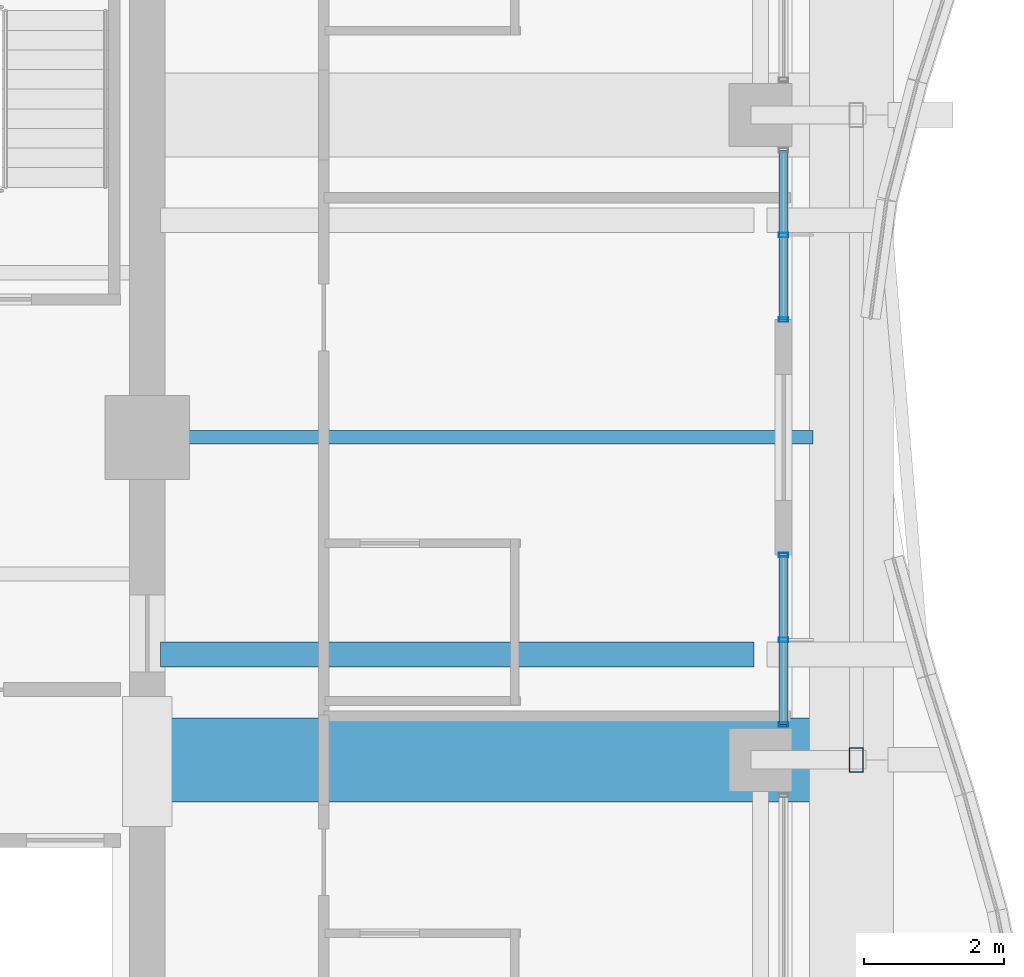
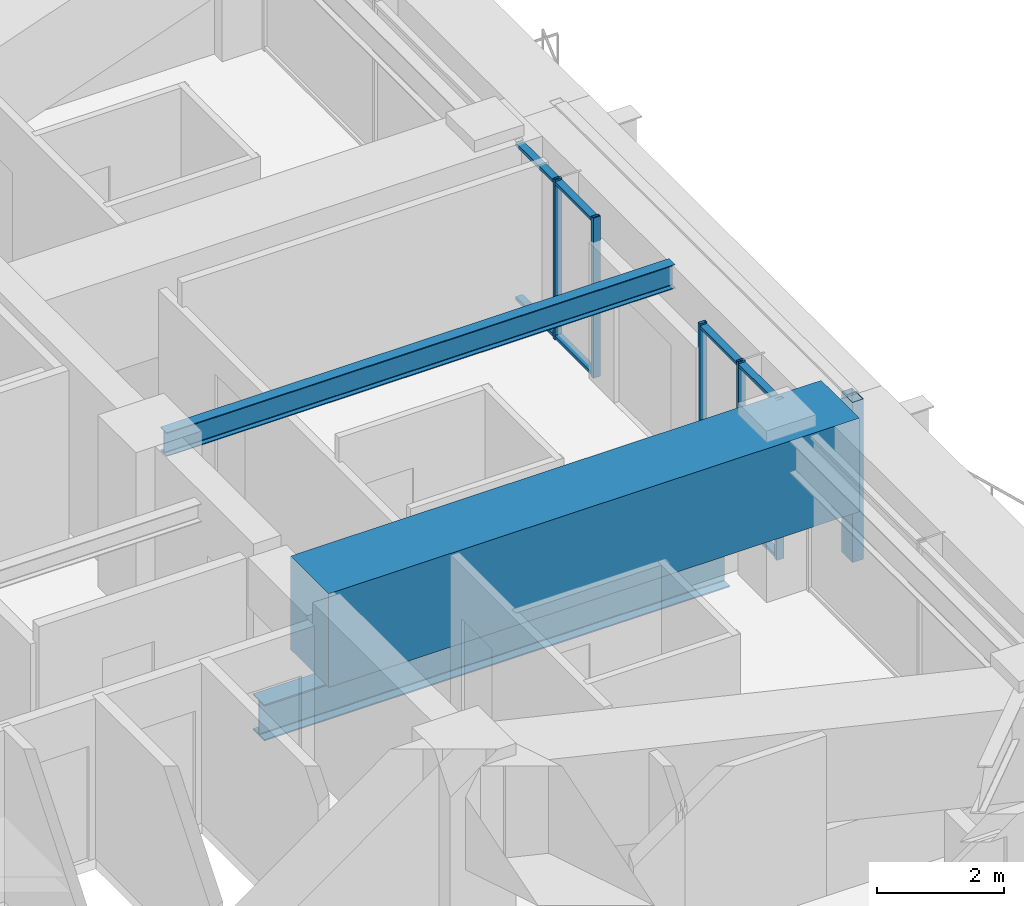
# One storey, part 18 of 40: 10 members, 3 beams, 2 elements without a shape of their own.
"""IFC4 building model written with IfcOpenShell, lengths in metres."""

from ifc_helpers import new_model, si_unit, direction, frame, origin, origin_2d, place, context, subcontext, project, spatial, rectangle, hollow_rectangle, i_section, extrude, material, material_profile, profile_set, type_object, element, aggregate, save


model = new_model("IFC4")

# Units and contexts
model_context = context("Model", 3, precision=1e-05, world=origin(), true_north=direction((0.0, 1.0)))
body_context = subcontext(model_context, "Body", "Model", "MODEL_VIEW")
ifc_project = project(units=[si_unit("LENGTHUNIT", "METRE"), si_unit("AREAUNIT", "SQUARE_METRE"), si_unit("VOLUMEUNIT", "CUBIC_METRE"), si_unit("PLANEANGLEUNIT", "RADIAN"), si_unit("MASSUNIT", "GRAM", prefix="KILO")], contexts=[model_context])

# Site, building, storey
site_placement = place(None, origin())
site = spatial("IfcSite", under=ifc_project, at=site_placement, CompositionType="ELEMENT")
building_placement = place(site_placement, origin())
building = spatial("IfcBuilding", under=site, at=building_placement, Name="Kolvaren Belvedere", CompositionType="ELEMENT")
storey_placement = place(building_placement, frame((0.0, 0.0, 170.10009765625)))
storey = spatial("IfcBuildingStorey", under=building, at=storey_placement, Name="L49", CompositionType="ELEMENT", Elevation=170.10009765625)

# Beams
ifc_material_1 = material(Name="Structural steel ASTM A992 Grade 50", Category="steel")
ifc_material_profile_1 = material_profile(ifc_material_1, i_section(OverallWidth=0.35498046875, OverallDepth=0.696044921875, WebThickness=0.015380859375, FlangeThickness=0.02490234375, FilletRadius=0.02197265625, at=origin_2d()), Name="W27X146")
ifc_profile_set_1 = profile_set([ifc_material_profile_1], Name="Structural steel ASTM A992 Grade 50")
beam_type_1 = type_object("IfcBeamType", Name="BM-GIRD-W27X146", PredefinedType="BEAM", material=ifc_profile_set_1)
beam_1_placement = place(storey_placement, frame((10.090087890625, -3.10009765625, -0.548095703125), z_axis=(1.0, 0.0, 0.0), x_axis=(0.0, 1.0, 0.0)))
element("IfcBeam", 1, at=beam_1_placement, inside=storey, type_object=beam_type_1, Name="L49 Balcony Interior Back-Span Girder BAL-E-1", PredefinedType="BEAM", context=body_context, shape_type="SweptSolid", body=[
    extrude(i_section(OverallWidth=0.35498046875, OverallDepth=0.696044921875, WebThickness=0.015380859375, FlangeThickness=0.02490234375, FilletRadius=0.02197265625, at=origin_2d()), origin(), (0.0, 0.0, 1.0), 8.46484375),
])
ifc_material_2 = material(Name="Structural steel ASTM A992 Grade 50", Category="steel")
ifc_material_profile_2 = material_profile(ifc_material_2, i_section(OverallWidth=0.19091796875, OverallDepth=0.4599609375, WebThickness=0.010009765625, FlangeThickness=0.01611328125, FilletRadius=0.014892578125, at=origin_2d()), Name="W18X55")
ifc_profile_set_2 = profile_set([ifc_material_profile_2], Name="Structural steel ASTM A992 Grade 50")
beam_type_2 = type_object("IfcBeamType", Name="BM-JOIST-W18X55", PredefinedType="BEAM", material=ifc_profile_set_2)
beam_2_placement = place(storey_placement, frame((10.14990234375, 0.0, 2.849853515625), z_axis=(1.0, 0.0, 0.0), x_axis=(0.0, 1.0, 0.0)))
element("IfcBeam", 2, at=beam_2_placement, inside=storey, type_object=beam_type_2, Name="L49 East Centre Floor Beam", PredefinedType="BEAM", context=body_context, shape_type="SweptSolid", body=[
    extrude(i_section(OverallWidth=0.19091796875, OverallDepth=0.4599609375, WebThickness=0.010009765625, FlangeThickness=0.01611328125, FilletRadius=0.014892578125, at=origin_2d()), origin(), (0.0, 0.0, 1.0), 9.25),
])
ifc_material_3 = material(Name="Concrete C50/60", Category="concrete")
ifc_material_profile_3 = material_profile(ifc_material_3, rectangle(XDim=1.199951171875, YDim=1.800048828125, at=origin_2d()), Name="RC 1200X1800")
ifc_profile_set_3 = profile_set([ifc_material_profile_3], Name="Concrete C50/60")
beam_type_3 = type_object("IfcBeamType", Name="BM-TG-1800", PredefinedType="BEAM", material=ifc_profile_set_3)
beam_3_placement = place(storey_placement, frame((10.14990234375, -4.60009765625, 2.179931640625), z_axis=(1.0, 0.0, 0.0), x_axis=(0.0, 1.0, 0.0)))
element("IfcBeam", 3, at=beam_3_placement, inside=storey, type_object=beam_type_3, Name="L49 East Radial Girder M", PredefinedType="BEAM", context=body_context, shape_type="SweptSolid", body=[
    extrude(rectangle(XDim=1.199951171875, YDim=1.800048828125, at=origin_2d()), origin(), (0.0, 0.0, 1.0), 9.650146484375),
])

# Curtain wall, members
ifc_material_4 = material(Name="Anodised pale-metal aluminium AA 6063-T6", Category="aluminium")
curtain_wall_type = type_object("IfcCurtainWallType", Name="CW-Z3-WAIST", PredefinedType="NOTDEFINED", material=ifc_material_4)
curtain_wall_1_placement = place(storey_placement, origin())
curtain_wall_1 = element("IfcCurtainWall", 4, at=curtain_wall_1_placement, inside=storey, type_object=curtain_wall_type, Name="L49 Unitised Curtain Wall FCW-L49-E1-B2", PredefinedType="NOTDEFINED")
ifc_material_5 = material(Name="Anodised pale-metal aluminium AA 6063-T6", Category="aluminium")
ifc_material_profile_4 = material_profile(ifc_material_5, hollow_rectangle(XDim=0.06494140625, YDim=0.1298828125, WallThickness=0.00390625, at=origin_2d()), Name="ALU-MUL-130X65")
ifc_profile_set_4 = profile_set([ifc_material_profile_4], Name="Anodised pale-metal aluminium AA 6063-T6")
member_type_1 = type_object("IfcMemberType", Name="CW-MUL-130", PredefinedType="MULLION", material=ifc_profile_set_4)
member_1_placement = place(storey_placement, frame((18.97998046875, 2.888671875, 0.0), z_axis=(0.0, 0.0, 1.0), x_axis=(0.0, 1.0, 0.0)))
member_1 = element("IfcMember", 5, at=member_1_placement, type_object=member_type_1, Name="FCW-L49-E1-B2 Unitised Mullion 2", PredefinedType="MULLION", context=body_context, shape_type="SweptSolid", body=[
    extrude(hollow_rectangle(XDim=0.06494140625, YDim=0.1298828125, WallThickness=0.00390625, at=origin_2d()), origin(), (0.0, 0.0, 1.0), 3.079833984375),
])
member_2_placement = place(storey_placement, frame((18.97998046875, 1.679931640625, 0.0), z_axis=(0.0, 0.0, 1.0), x_axis=(0.0, 1.0, 0.0)))
member_2 = element("IfcMember", 6, at=member_2_placement, type_object=member_type_1, Name="FCW-L49-E1-B2 Unitised Mullion 3", PredefinedType="MULLION", context=body_context, shape_type="SweptSolid", body=[
    extrude(hollow_rectangle(XDim=0.06494140625, YDim=0.1298828125, WallThickness=0.00390625, at=origin_2d()), origin(), (0.0, 0.0, 1.0), 3.079833984375),
])

curtain_wall_2_placement = place(storey_placement, origin())
curtain_wall_2 = element("IfcCurtainWall", 7, at=curtain_wall_2_placement, inside=storey, type_object=curtain_wall_type, Name="L49 Unitised Curtain Wall FCW-L49-E2-B1", PredefinedType="NOTDEFINED")
member_3_placement = place(storey_placement, frame((18.97998046875, -1.679931640625, 0.0), z_axis=(0.0, 0.0, 1.0), x_axis=(0.0, 1.0, 0.0)))
member_3 = element("IfcMember", 8, at=member_3_placement, type_object=member_type_1, Name="FCW-L49-E2-B1 Unitised Mullion 1", PredefinedType="MULLION", context=body_context, shape_type="SweptSolid", body=[
    extrude(hollow_rectangle(XDim=0.06494140625, YDim=0.1298828125, WallThickness=0.00390625, at=origin_2d()), origin(), (0.0, 0.0, 1.0), 3.079833984375),
])
member_4_placement = place(storey_placement, frame((18.97998046875, -2.888671875, 0.0), z_axis=(0.0, 0.0, 1.0), x_axis=(0.0, 1.0, 0.0)))
member_4 = element("IfcMember", 9, at=member_4_placement, type_object=member_type_1, Name="FCW-L49-E2-B1 Unitised Mullion 2", PredefinedType="MULLION", context=body_context, shape_type="SweptSolid", body=[
    extrude(hollow_rectangle(XDim=0.06494140625, YDim=0.1298828125, WallThickness=0.00390625, at=origin_2d()), origin(), (0.0, 0.0, 1.0), 3.079833984375),
])
member_5_placement = place(storey_placement, frame((18.97998046875, -4.097412109375, 0.0), z_axis=(0.0, 0.0, 1.0), x_axis=(0.0, 1.0, 0.0)))
member_5 = element("IfcMember", 10, at=member_5_placement, type_object=member_type_1, Name="FCW-L49-E2-B1 Unitised Mullion 3", PredefinedType="MULLION", context=body_context, shape_type="SweptSolid", body=[
    extrude(hollow_rectangle(XDim=0.06494140625, YDim=0.1298828125, WallThickness=0.00390625, at=origin_2d()), origin(), (0.0, 0.0, 1.0), 3.079833984375),
])

# Member
ifc_material_6 = material(Name="Anodised pale-metal aluminium AA 6063-T6", Category="aluminium")
ifc_material_profile_5 = material_profile(ifc_material_6, hollow_rectangle(XDim=0.06005859375, YDim=0.1298828125, WallThickness=0.00390625, at=origin_2d()), Name="ALU-TRN-130X60")
ifc_profile_set_5 = profile_set([ifc_material_profile_5], Name="Anodised pale-metal aluminium AA 6063-T6")
member_type_2 = type_object("IfcMemberType", Name="CW-TRN-130", PredefinedType="USERDEFINED", material=ifc_profile_set_5)
member_6_placement = place(storey_placement, frame((18.97998046875, 4.097412109375, 0.059814453125), z_axis=(0.0, -1.0, 0.0), x_axis=(0.0, 0.0, 1.0)))
member_6 = element("IfcMember", 11, at=member_6_placement, type_object=member_type_2, Name="FCW-L49-E1-B2 Sill Transom", ObjectType="TRANSOM", PredefinedType="USERDEFINED", context=body_context, shape_type="SweptSolid", body=[
    extrude(hollow_rectangle(XDim=0.06005859375, YDim=0.1298828125, WallThickness=0.00390625, at=origin_2d()), origin(), (0.0, 0.0, 1.0), 2.41748046875),
])

member_7_placement = place(storey_placement, frame((18.97998046875, 4.097412109375, 3.02001953125), z_axis=(0.0, -1.0, 0.0), x_axis=(0.0, 0.0, 1.0)))
member_7 = element("IfcMember", 12, at=member_7_placement, type_object=member_type_2, Name="FCW-L49-E1-B2 Head Transom", ObjectType="TRANSOM", PredefinedType="USERDEFINED", context=body_context, shape_type="SweptSolid", body=[
    extrude(hollow_rectangle(XDim=0.06005859375, YDim=0.1298828125, WallThickness=0.00390625, at=origin_2d()), origin(), (0.0, 0.0, 1.0), 2.41748046875),
])

aggregate(curtain_wall_1, [member_1, member_2, member_6, member_7])

member_8_placement = place(storey_placement, frame((18.97998046875, -1.679931640625, 0.059814453125), z_axis=(0.0, -1.0, 0.0), x_axis=(0.0, 0.0, 1.0)))
member_8 = element("IfcMember", 13, at=member_8_placement, type_object=member_type_2, Name="FCW-L49-E2-B1 Sill Transom", ObjectType="TRANSOM", PredefinedType="USERDEFINED", context=body_context, shape_type="SweptSolid", body=[
    extrude(hollow_rectangle(XDim=0.06005859375, YDim=0.1298828125, WallThickness=0.00390625, at=origin_2d()), origin(), (0.0, 0.0, 1.0), 2.41748046875),
])

member_9_placement = place(storey_placement, frame((18.97998046875, -1.679931640625, 3.02001953125), z_axis=(0.0, -1.0, 0.0), x_axis=(0.0, 0.0, 1.0)))
member_9 = element("IfcMember", 14, at=member_9_placement, type_object=member_type_2, Name="FCW-L49-E2-B1 Head Transom", ObjectType="TRANSOM", PredefinedType="USERDEFINED", context=body_context, shape_type="SweptSolid", body=[
    extrude(hollow_rectangle(XDim=0.06005859375, YDim=0.1298828125, WallThickness=0.00390625, at=origin_2d()), origin(), (0.0, 0.0, 1.0), 2.41748046875),
])

aggregate(curtain_wall_2, [member_3, member_4, member_5, member_8, member_9])

ifc_material_7 = material(Name="Anodised pale-metal aluminium AA 6063-T6", Category="aluminium")
ifc_material_profile_6 = material_profile(ifc_material_7, hollow_rectangle(XDim=0.199951171875, YDim=0.35009765625, WallThickness=0.007568359375, at=origin_2d()), Name="ALU-PF-350X200")
ifc_profile_set_6 = profile_set([ifc_material_profile_6], Name="Anodised pale-metal aluminium AA 6063-T6")
member_type_3 = type_object("IfcMemberType", Name="PF-FRAME-350", PredefinedType="USERDEFINED", material=ifc_profile_set_6)
member_10_placement = place(storey_placement, frame((20.02001953125, -4.60009765625, 0.0), z_axis=(0.0, 0.0, 1.0), x_axis=(1.0, 0.0, 0.0)))
element("IfcMember", 15, at=member_10_placement, inside=storey, type_object=member_type_3, Name="L49 Outboard Picture-Frame Vertical E2", ObjectType="PICTURE FRAME FIN", PredefinedType="USERDEFINED", context=body_context, shape_type="SweptSolid", body=[
    extrude(hollow_rectangle(XDim=0.199951171875, YDim=0.35009765625, WallThickness=0.007568359375, at=origin_2d()), origin(), (0.0, 0.0, 1.0), 3.079833984375),
])

save(model, "model.ifc")
